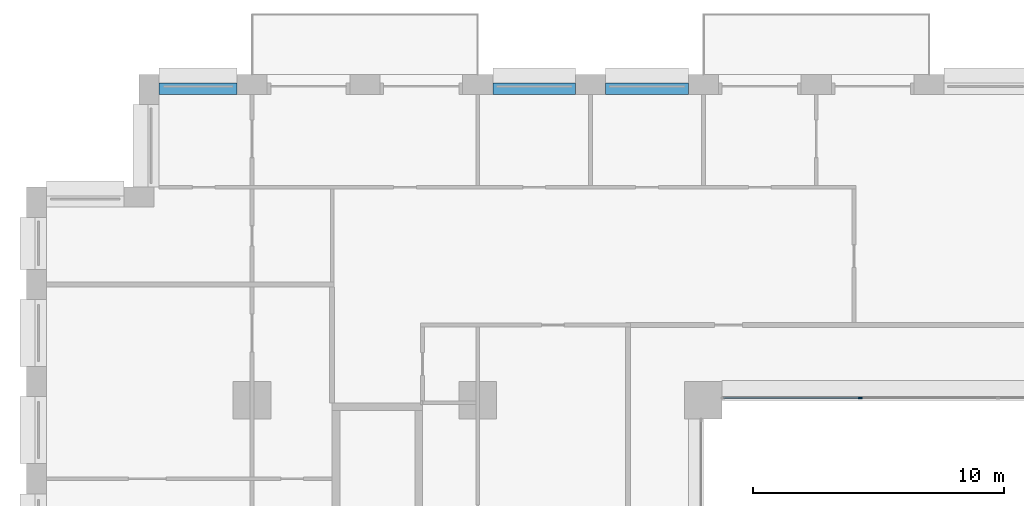
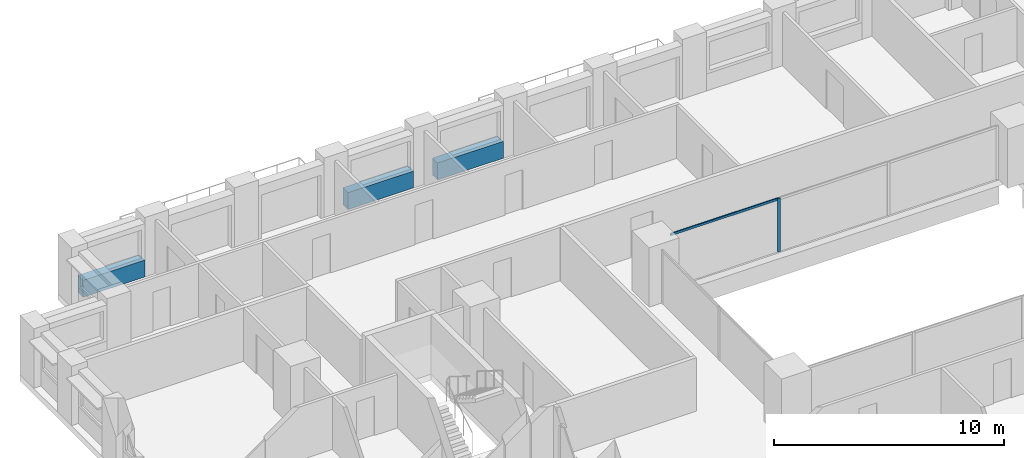
# One storey, part 6 of 20: 3 beams, 2 members, 1 element without a shape of its own.
"""IFC4 building model written with IfcOpenShell, lengths in metres."""

from ifc_helpers import new_model, si_unit, direction, frame, origin, origin_2d, place, context, subcontext, project, spatial, rectangle, extrude, material, layer, layer_set, material_profile, profile_set, type_object, element, aggregate, save


model = new_model("IFC4")

# Units and contexts
model_context = context("Model", 3, precision=1e-05, world=origin(), true_north=direction((0.0, 1.0)))
body_context = subcontext(model_context, "Body", "Model", "MODEL_VIEW")
ifc_project = project(units=[si_unit("LENGTHUNIT", "METRE"), si_unit("AREAUNIT", "SQUARE_METRE"), si_unit("VOLUMEUNIT", "CUBIC_METRE"), si_unit("PLANEANGLEUNIT", "RADIAN"), si_unit("MASSUNIT", "GRAM", prefix="KILO")], contexts=[model_context])

# Site, building, storey
site_placement = place(None, origin())
site = spatial("IfcSite", under=ifc_project, at=site_placement, CompositionType="ELEMENT")
building_placement = place(site_placement, origin())
building = spatial("IfcBuilding", under=site, at=building_placement, Name="Brigalow Station Residences", CompositionType="ELEMENT")
storey_placement = place(building_placement, frame((0.0, 0.0, 57.300048828125)))
storey = spatial("IfcBuildingStorey", under=building, at=storey_placement, Name="L16", CompositionType="ELEMENT", Elevation=57.300048828125)

# Curtain wall, members
ifc_material_1 = material(Name="Aluminium", Category="aluminium")
ifc_layer = layer(ifc_material_1, 0.14990234375)
ifc_layer_set = layer_set([ifc_layer], Name="ATRIUM FIRE-RATED GLAZING CURTAIN WALL")
curtain_wall_type = type_object("IfcCurtainWallType", Name="ATRIUM FIRE-RATED GLAZING CURTAIN WALL", PredefinedType="NOTDEFINED", material=ifc_layer_set)
curtain_wall_placement = place(storey_placement, origin())
curtain_wall = element("IfcCurtainWall", 1, at=curtain_wall_placement, inside=storey, type_object=curtain_wall_type, Name="L16/cw/atrium-N", PredefinedType="NOTDEFINED")
ifc_material_2 = material(Name="Aluminium", Category="aluminium")
ifc_material_profile_1 = material_profile(ifc_material_2, rectangle(XDim=0.06005859375, YDim=0.14990234375, at=origin_2d()), Name="ATRIUM FIRE-RATED GLAZING MULLION 60x150")
ifc_profile_set_1 = profile_set([ifc_material_profile_1], Name="Aluminium")
member_type_1 = type_object("IfcMemberType", Name="ATRIUM FIRE-RATED GLAZING MULLION 60x150", PredefinedType="MULLION", material=ifc_profile_set_1)
member_1_placement = place(storey_placement, frame((33.25, 35.60009765625, 0.0), z_axis=(0.0, 0.0, 1.0), x_axis=(0.0, -1.0, 0.0)))
member_1 = element("IfcMember", 2, at=member_1_placement, type_object=member_type_1, Name="L16/cw/atrium-N/M02", PredefinedType="MULLION", context=body_context, shape_type="SweptSolid", body=[
    extrude(rectangle(XDim=0.06005859375, YDim=0.14990234375, at=origin_2d()), origin(), (0.0, 0.0, 1.0), 2.829833984375),
])
ifc_material_3 = material(Name="Aluminium", Category="aluminium")
ifc_material_profile_2 = material_profile(ifc_material_3, rectangle(XDim=0.06005859375, YDim=0.1201171875, at=origin_2d()), Name="ATRIUM FIRE-RATED GLAZING TRANSOM 60x120")
ifc_profile_set_2 = profile_set([ifc_material_profile_2], Name="Aluminium")
member_type_2 = type_object("IfcMemberType", Name="ATRIUM FIRE-RATED GLAZING TRANSOM 60x120", PredefinedType="USERDEFINED", material=ifc_profile_set_2)
member_2_placement = place(storey_placement, frame((33.219970703125, 35.60009765625, 2.800048828125), z_axis=(-1.0, 0.0, 0.0), x_axis=(0.0, -1.0, 0.0)))
member_2 = element("IfcMember", 3, at=member_2_placement, type_object=member_type_2, Name="L16/cw/atrium-N/T02-00", ObjectType="TRANSOM", PredefinedType="USERDEFINED", context=body_context, shape_type="SweptSolid", body=[
    extrude(rectangle(XDim=0.06005859375, YDim=0.1201171875, at=origin_2d()), origin(), (0.0, 0.0, 1.0), 5.409912109375),
])
aggregate(curtain_wall, [member_1, member_2])

# Beams
ifc_material_4 = material(Name="Concrete C65", Category="concrete")
ifc_material_profile_3 = material_profile(ifc_material_4, rectangle(XDim=0.449951171875, YDim=0.89990234375, at=origin_2d()), Name="RC450x900")
ifc_profile_set_3 = profile_set([ifc_material_profile_3], Name="Concrete C65")
beam_type = type_object("IfcBeamType", Name="SPANDREL BEAM 450x900 C65", PredefinedType="SPANDREL", material=ifc_profile_set_3)
for number, where, z_axis, x_axis, name in (
    (4, (26.39990234375, 47.925048828125, 0.449951171875), (-1.0, 0.0, 0.0), (0.0, -1.0, 0.0), "L16/spandrel/W-L16-35"),
    (5, (21.89990234375, 47.925048828125, 0.449951171875), (-1.0, 0.0, 0.0), (0.0, -1.0, 0.0), "L16/spandrel/W-L16-36"),
):
    element("IfcBeam", number, at=place(storey_placement, frame(where, z_axis=z_axis, x_axis=x_axis)), inside=storey, type_object=beam_type, Name=name, PredefinedType="SPANDREL", context=body_context, shape_type="SweptSolid", body=[
        extrude(rectangle(XDim=0.449951171875, YDim=0.89990234375, at=origin_2d()), origin(), (0.0, 0.0, 1.0), 3.2998046875),
    ])
beam_placement = place(storey_placement, frame((8.39990234375, 47.925048828125, 0.449951171875), z_axis=(-1.0, 0.0, 0.0), x_axis=(0.0, -1.0, 0.0)))
element("IfcBeam", 6, at=beam_placement, inside=storey, type_object=beam_type, Name="L16/spandrel/W-L16-39", PredefinedType="SPANDREL", context=body_context, shape_type="SweptSolid", body=[
    extrude(rectangle(XDim=0.449951171875, YDim=0.89990234375, at=origin_2d()), origin(), (0.0, 0.0, 1.0), 3.099853515625),
])

save(model, "model.ifc")
